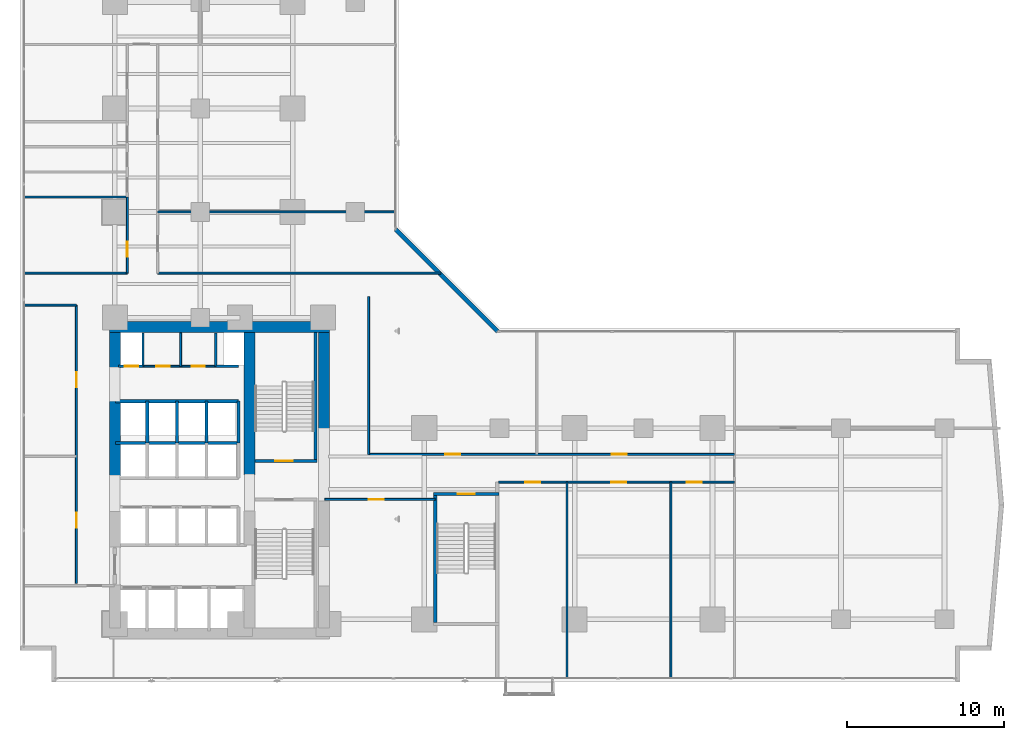
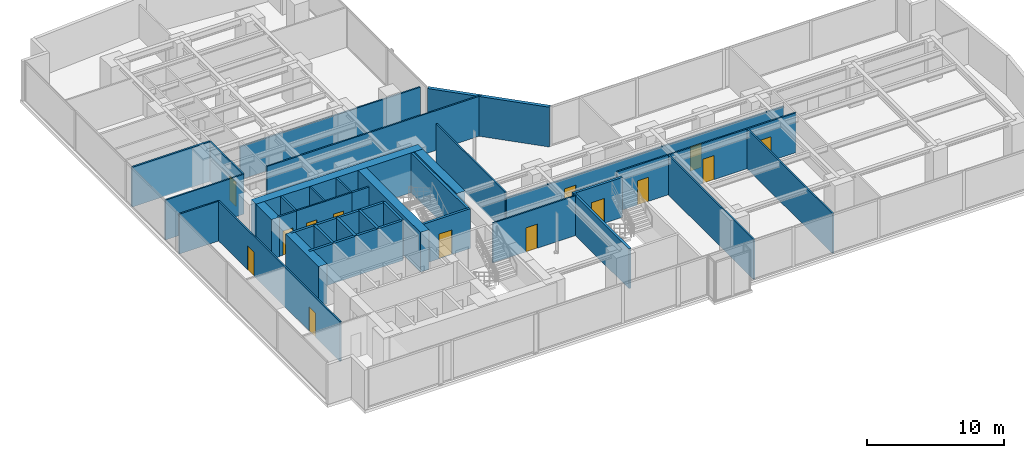
# One storey, part 24 of 31: 35 walls, 14 doors, 14 openings.
"""IFC4 building model written with IfcOpenShell, lengths in metres."""

from ifc_helpers import new_model, si_unit, direction, frame, frame_2d, origin, place, context, subcontext, project, spatial, rectangle, extrude, material, layer, layer_set, type_object, element, fill, save


model = new_model("IFC4")

# Units and contexts
model_context = context("Model", 3, precision=1e-05, world=origin(), true_north=direction((0.0, 1.0)))
body_context = subcontext(model_context, "Body", "Model", "MODEL_VIEW")
ifc_project = project(units=[si_unit("LENGTHUNIT", "METRE"), si_unit("AREAUNIT", "SQUARE_METRE"), si_unit("VOLUMEUNIT", "CUBIC_METRE"), si_unit("PLANEANGLEUNIT", "RADIAN"), si_unit("MASSUNIT", "GRAM", prefix="KILO")], contexts=[model_context])

# Site, building, storey
site_placement = place(None, origin())
site = spatial("IfcSite", under=ifc_project, at=site_placement, CompositionType="ELEMENT")
building_placement = place(site_placement, origin())
building = spatial("IfcBuilding", under=site, at=building_placement, Name="Kolvaren Waterfront Exchange", CompositionType="ELEMENT")
storey_placement = place(building_placement, frame((0.0, 0.0, 67.60009765625)))
storey = spatial("IfcBuildingStorey", under=building, at=storey_placement, Name="L17", CompositionType="ELEMENT", Elevation=67.60009765625)

# Wall
ifc_material_1 = material(Name="Precast concrete C40/50", Category="concrete")
ifc_layer_1 = layer(ifc_material_1, 0.280029296875, Name="Precast concrete C40/50")
ifc_layer_set_1 = layer_set([ifc_layer_1], Name="Precast concrete C40/50")
wall_type_1 = type_object("IfcWallType", Name="ARC-EXT-TERR-280", PredefinedType="SOLIDWALL", material=ifc_layer_set_1)
wall_1_placement = place(storey_placement, frame((31.885009765625, 23.574951171875, 0.0), z_axis=(0.0, 0.0, 1.0), x_axis=(-0.707106781187, 0.707106781187, 0.0)))
element("IfcWall", 1, at=wall_1_placement, inside=storey, type_object=wall_type_1, Name="L17 notched corner spandrel pier ELBOW", PredefinedType="SOLIDWALL", context=body_context, shape_type="SweptSolid", body=[
    extrude(rectangle(XDim=9.20654296875, YDim=0.280029296875, at=frame_2d((4.603271484375, 0.0))), origin(), (0.0, 0.0, 1.0), 3.539794921875),
])

# Wall, opening, door
ifc_layer_2 = layer(ifc_material_1, 0.199951171875, Name="Precast concrete C40/50")
ifc_layer_set_2 = layer_set([ifc_layer_2], Name="Precast concrete C40/50")
wall_type_2 = type_object("IfcWallType", Name="ARC-FIRE-200", PredefinedType="PARTITIONING", material=ifc_layer_set_2)
wall_2_placement = place(storey_placement, frame((16.409912109375, 15.300048828125, 0.0), z_axis=(0.0, 0.0, 1.0), x_axis=(1.0, 0.0, 0.0)))
wall_2 = element("IfcWall", 2, at=wall_2_placement, inside=storey, type_object=wall_type_2, Name="L17 interior wall PW-L17-ST2-THROAT-N", PredefinedType="PARTITIONING", context=body_context, shape_type="SweptSolid", body=[
    extrude(rectangle(XDim=3.9501953125, YDim=0.199951171875, at=frame_2d((1.97509765625, 0.0))), origin(), (0.0, 0.0, 1.0), 3.539794921875),
])
opening_1_placement = place(wall_2_placement, frame((1.293701171875, 0.0, 0.0)))
opening_1 = element("IfcOpeningElement", 3, at=opening_1_placement, cuts=wall_2, Name="Opening FD2", PredefinedType="OPENING", context=body_context, shape_type="SweptSolid", body=[
    extrude(rectangle(XDim=1.10009765625, YDim=2.199951171875, at=frame_2d((0.550048828125, 1.10009765625))), frame((0.0, 0.10986328125, 0.0), z_axis=(0.0, -1.0, 0.0), x_axis=(1.0, 0.0, 0.0)), (0.0, 0.0, 1.0), 0.219970703125),
])
ifc_material_2 = material(Name="Pressed steel smoke-seal fire door", Category="steel")
door_type_1 = type_object("IfcDoorType", Name="ARC-FD-1100", OperationType="NOTDEFINED", PredefinedType="DOOR", material=ifc_material_2)
door_1_placement = place(opening_1_placement, origin())
door_1 = element("IfcDoor", 4, at=door_1_placement, inside=storey, type_object=door_type_1, Name="L17 door DR-L17-ST2-IN (FD2)", OperationType="SINGLE_SWING_RIGHT", OverallHeight=2.199951171875, OverallWidth=1.10009765625, PredefinedType="DOOR", context=body_context, shape_type="SweptSolid", body=[
    extrude(rectangle(XDim=1.10009765625, YDim=2.199951171875, at=frame_2d((0.550048828125, 1.10009765625))), frame((0.0, 0.02490234375, 0.0), z_axis=(0.0, -1.0, 0.0), x_axis=(1.0, 0.0, 0.0)), (0.0, 0.0, 1.0), 0.050048828125),
])
fill(opening_1, door_1)

# Wall, openings, doors
ifc_material_3 = material(Name="Acoustic gypsum steel stud", Category="steel")
ifc_layer_3 = layer(ifc_material_3, 0.125, Name="Acoustic gypsum steel stud")
ifc_layer_set_3 = layer_set([ifc_layer_3], Name="Acoustic gypsum steel stud")
wall_type_3 = type_object("IfcWallType", Name="ARC-PART-125", PredefinedType="PARTITIONING", material=ifc_layer_set_3)
wall_3_placement = place(storey_placement, frame((9.25, 21.35009765625, 0.0), z_axis=(0.0, 0.0, 1.0), x_axis=(1.0, 0.0, 0.0)))
wall_3 = element("IfcWall", 5, at=wall_3_placement, inside=storey, type_object=wall_type_3, Name="L17 interior wall PW-L17-SVC-EX-S", PredefinedType="PARTITIONING", context=body_context, shape_type="SweptSolid", body=[
    extrude(rectangle(XDim=4.64990234375, YDim=0.125, at=frame_2d((2.324951171875, 0.0))), origin(), (0.0, 0.0, 1.0), 3.539794921875),
])
opening_2_placement = place(wall_3_placement, frame((0.85009765625, 0.0, 0.0)))
opening_2 = element("IfcOpeningElement", 6, at=opening_2_placement, cuts=wall_3, Name="Opening D01", PredefinedType="OPENING", context=body_context, shape_type="SweptSolid", body=[
    extrude(rectangle(XDim=0.85009765625, YDim=2.14990234375, at=frame_2d((0.425048828125, 1.074951171875))), frame((0.0, 0.072509765625, 0.0), z_axis=(0.0, -1.0, 0.0), x_axis=(1.0, 0.0, 0.0)), (0.0, 0.0, 1.0), 0.14501953125),
])
opening_3_placement = place(wall_3_placement, frame((3.10009765625, 0.0, 0.0)))
opening_3 = element("IfcOpeningElement", 7, at=opening_3_placement, cuts=wall_3, Name="Opening D01", PredefinedType="OPENING", context=body_context, shape_type="SweptSolid", body=[
    extrude(rectangle(XDim=0.85009765625, YDim=2.14990234375, at=frame_2d((0.425048828125, 1.074951171875))), frame((0.0, 0.072509765625, 0.0), z_axis=(0.0, -1.0, 0.0), x_axis=(1.0, 0.0, 0.0)), (0.0, 0.0, 1.0), 0.14501953125),
])
ifc_material_4 = material(Name="Oak veneer timber leaf", Category="wood")
door_type_2 = type_object("IfcDoorType", Name="ARC-DR-900", OperationType="NOTDEFINED", PredefinedType="DOOR", material=ifc_material_4)
door_2_placement = place(opening_2_placement, origin())
door_2 = element("IfcDoor", 8, at=door_2_placement, inside=storey, type_object=door_type_2, Name="L17 door DR-L17-SVC-DR-1 (D01)", OperationType="SINGLE_SWING_RIGHT", OverallHeight=2.14990234375, OverallWidth=0.85009765625, PredefinedType="DOOR", context=body_context, shape_type="SweptSolid", body=[
    extrude(rectangle(XDim=0.85009765625, YDim=2.14990234375, at=frame_2d((0.425048828125, 1.074951171875))), frame((0.0, 0.02490234375, 0.0), z_axis=(0.0, -1.0, 0.0), x_axis=(1.0, 0.0, 0.0)), (0.0, 0.0, 1.0), 0.050048828125),
])
fill(opening_2, door_2)
door_3_placement = place(opening_3_placement, origin())
door_3 = element("IfcDoor", 9, at=door_3_placement, inside=storey, type_object=door_type_2, Name="L17 door DR-L17-SVC-DR-2 (D01)", OperationType="SINGLE_SWING_LEFT", OverallHeight=2.14990234375, OverallWidth=0.85009765625, PredefinedType="DOOR", context=body_context, shape_type="SweptSolid", body=[
    extrude(rectangle(XDim=0.85009765625, YDim=2.14990234375, at=frame_2d((0.425048828125, 1.074951171875))), frame((0.0, 0.02490234375, 0.0), z_axis=(0.0, -1.0, 0.0), x_axis=(1.0, 0.0, 0.0)), (0.0, 0.0, 1.0), 0.050048828125),
])
fill(opening_3, door_3)

# Wall
wall_4_placement = place(storey_placement, frame((11.64990234375, 21.35009765625, 0.0), z_axis=(0.0, 0.0, 1.0), x_axis=(0.0, 1.0, 0.0)))
element("IfcWall", 10, at=wall_4_placement, inside=storey, type_object=wall_type_3, Name="L17 interior wall PW-L17-SVC-EX-M1", PredefinedType="PARTITIONING", context=body_context, shape_type="SweptSolid", body=[
    extrude(rectangle(XDim=2.1298828125, YDim=0.125, at=frame_2d((1.06494140625, 0.0))), origin(), (0.0, 0.0, 1.0), 3.539794921875),
])

# Wall, opening, door
wall_5_placement = place(storey_placement, frame((8.25, 27.300048828125, 0.0), z_axis=(0.0, 0.0, 1.0), x_axis=(0.0, 1.0, 0.0)))
wall_5 = element("IfcWall", 11, at=wall_5_placement, inside=storey, type_object=wall_type_3, Name="L17 interior wall PW-L17-PREWC-E", PredefinedType="PARTITIONING", context=body_context, shape_type="SweptSolid", body=[
    extrude(rectangle(XDim=4.849853515625, YDim=0.125, at=frame_2d((2.4248046875, 0.0))), origin(), (0.0, 0.0, 1.0), 3.539794921875),
])
opening_4_placement = place(wall_5_placement, frame((1.050048828125, 0.0, 0.0)))
opening_4 = element("IfcOpeningElement", 12, at=opening_4_placement, cuts=wall_5, Name="Opening D02", PredefinedType="OPENING", context=body_context, shape_type="SweptSolid", body=[
    extrude(rectangle(XDim=0.949951171875, YDim=2.14990234375, at=frame_2d((0.47509765625, 1.074951171875))), frame((0.0, 0.072509765625, 0.0), z_axis=(0.0, -1.0, 0.0), x_axis=(1.0, 0.0, 0.0)), (0.0, 0.0, 1.0), 0.14501953125),
])
ifc_material_5 = material(Name="Oak veneer acoustic timber", Category="wood")
door_type_3 = type_object("IfcDoorType", Name="ARC-DR-950", OperationType="NOTDEFINED", PredefinedType="DOOR", material=ifc_material_5)
door_4_placement = place(opening_4_placement, origin())
door_4 = element("IfcDoor", 13, at=door_4_placement, inside=storey, type_object=door_type_3, Name="L17 door DR-L17-PREWC-D (D02)", OperationType="SINGLE_SWING_RIGHT", OverallHeight=2.14990234375, OverallWidth=0.949951171875, PredefinedType="DOOR", context=body_context, shape_type="SweptSolid", body=[
    extrude(rectangle(XDim=0.949951171875, YDim=2.14990234375, at=frame_2d((0.47509765625, 1.074951171875))), frame((0.0, 0.02490234375, 0.0), z_axis=(0.0, -1.0, 0.0), x_axis=(1.0, 0.0, 0.0)), (0.0, 0.0, 1.0), 0.050048828125),
])
fill(opening_4, door_4)

# Wall
wall_6_placement = place(storey_placement, frame((1.639892578125, 27.300048828125, 0.0), z_axis=(0.0, 0.0, 1.0), x_axis=(1.0, 0.0, 0.0)))
element("IfcWall", 14, at=wall_6_placement, inside=storey, type_object=wall_type_3, Name="L17 interior wall PW-L17-PREWC-S", PredefinedType="PARTITIONING", context=body_context, shape_type="SweptSolid", body=[
    extrude(rectangle(XDim=6.610107421875, YDim=0.125, at=frame_2d((3.30517578125, 0.0))), origin(), (0.0, 0.0, 1.0), 3.539794921875),
])

# Wall, openings, doors
wall_7_placement = place(storey_placement, frame((5.0, 7.5, 0.0), z_axis=(0.0, 0.0, 1.0), x_axis=(0.0, 1.0, 0.0)))
wall_7 = element("IfcWall", 15, at=wall_7_placement, inside=storey, type_object=wall_type_3, Name="L17 interior wall PW-L17-WFLANK-E", PredefinedType="PARTITIONING", context=body_context, shape_type="SweptSolid", body=[
    extrude(rectangle(XDim=17.75, YDim=0.125, at=frame_2d((8.875, 0.0))), origin(), (0.0, 0.0, 1.0), 3.539794921875),
])
opening_5_placement = place(wall_7_placement, frame((3.550048828125, 0.0, 0.0)))
opening_5 = element("IfcOpeningElement", 16, at=opening_5_placement, cuts=wall_7, Name="Opening D02", PredefinedType="OPENING", context=body_context, shape_type="SweptSolid", body=[
    extrude(rectangle(XDim=0.949951171875, YDim=2.14990234375, at=frame_2d((0.47509765625, 1.074951171875))), frame((0.0, 0.072509765625, 0.0), z_axis=(0.0, -1.0, 0.0), x_axis=(1.0, 0.0, 0.0)), (0.0, 0.0, 1.0), 0.14501953125),
])
opening_6_placement = place(wall_7_placement, frame((12.52099609375, 0.0, 0.0)))
opening_6 = element("IfcOpeningElement", 17, at=opening_6_placement, cuts=wall_7, Name="Opening D02", PredefinedType="OPENING", context=body_context, shape_type="SweptSolid", body=[
    extrude(rectangle(XDim=0.949951171875, YDim=2.14990234375, at=frame_2d((0.47509765625, 1.074951171875))), frame((0.0, 0.072509765625, 0.0), z_axis=(0.0, -1.0, 0.0), x_axis=(1.0, 0.0, 0.0)), (0.0, 0.0, 1.0), 0.14501953125),
])
door_5_placement = place(opening_5_placement, origin())
door_5 = element("IfcDoor", 18, at=door_5_placement, inside=storey, type_object=door_type_3, Name="L17 door DR-L17-WFL1-D (D02)", OperationType="SINGLE_SWING_LEFT", OverallHeight=2.14990234375, OverallWidth=0.949951171875, PredefinedType="DOOR", context=body_context, shape_type="SweptSolid", body=[
    extrude(rectangle(XDim=0.949951171875, YDim=2.14990234375, at=frame_2d((0.47509765625, 1.074951171875))), frame((0.0, 0.02490234375, 0.0), z_axis=(0.0, -1.0, 0.0), x_axis=(1.0, 0.0, 0.0)), (0.0, 0.0, 1.0), 0.050048828125),
])
fill(opening_5, door_5)
door_6_placement = place(opening_6_placement, origin())
door_6 = element("IfcDoor", 19, at=door_6_placement, inside=storey, type_object=door_type_3, Name="L17 door DR-L17-WFL2-D (D02)", OperationType="SINGLE_SWING_RIGHT", OverallHeight=2.14990234375, OverallWidth=0.949951171875, PredefinedType="DOOR", context=body_context, shape_type="SweptSolid", body=[
    extrude(rectangle(XDim=0.949951171875, YDim=2.14990234375, at=frame_2d((0.47509765625, 1.074951171875))), frame((0.0, 0.02490234375, 0.0), z_axis=(0.0, -1.0, 0.0), x_axis=(1.0, 0.0, 0.0)), (0.0, 0.0, 1.0), 0.050048828125),
])
fill(opening_6, door_6)

# Wall
wall_8_placement = place(storey_placement, frame((1.639892578125, 25.25, 0.0), z_axis=(0.0, 0.0, 1.0), x_axis=(1.0, 0.0, 0.0)))
element("IfcWall", 20, at=wall_8_placement, inside=storey, type_object=wall_type_3, Name="L17 interior wall PW-L17-WFLANK-N", PredefinedType="PARTITIONING", context=body_context, shape_type="SweptSolid", body=[
    extrude(rectangle(XDim=3.360107421875, YDim=0.125, at=frame_2d((1.68017578125, 0.0))), origin(), (0.0, 0.0, 1.0), 3.539794921875),
])

# Wall, opening, door
wall_9_placement = place(storey_placement, frame((20.85009765625, 12.85009765625, 0.0), z_axis=(0.0, 0.0, 1.0), x_axis=(1.0, 0.0, 0.0)))
wall_9 = element("IfcWall", 21, at=wall_9_placement, inside=storey, type_object=wall_type_3, Name="L17 interior wall PW-L17-SWST3-N", PredefinedType="PARTITIONING", context=body_context, shape_type="SweptSolid", body=[
    extrude(rectangle(XDim=7.0498046875, YDim=0.125, at=frame_2d((3.52490234375, 0.0))), origin(), (0.0, 0.0, 1.0), 3.539794921875),
])
opening_7_placement = place(wall_9_placement, frame((2.800048828125, 0.0, 0.0)))
opening_7 = element("IfcOpeningElement", 22, at=opening_7_placement, cuts=wall_9, Name="Opening D02", PredefinedType="OPENING", context=body_context, shape_type="SweptSolid", body=[
    extrude(rectangle(XDim=0.949951171875, YDim=2.14990234375, at=frame_2d((0.47509765625, 1.074951171875))), frame((0.0, 0.072509765625, 0.0), z_axis=(0.0, -1.0, 0.0), x_axis=(1.0, 0.0, 0.0)), (0.0, 0.0, 1.0), 0.14501953125),
])
door_7_placement = place(opening_7_placement, origin())
door_7 = element("IfcDoor", 23, at=door_7_placement, inside=storey, type_object=door_type_3, Name="L17 door DR-L17-SWST3-D (D02)", OperationType="SINGLE_SWING_LEFT", OverallHeight=2.14990234375, OverallWidth=0.949951171875, PredefinedType="DOOR", context=body_context, shape_type="SweptSolid", body=[
    extrude(rectangle(XDim=0.949951171875, YDim=2.14990234375, at=frame_2d((0.47509765625, 1.074951171875))), frame((0.0, 0.02490234375, 0.0), z_axis=(0.0, -1.0, 0.0), x_axis=(1.0, 0.0, 0.0)), (0.0, 0.0, 1.0), 0.050048828125),
])
fill(opening_7, door_7)

# Wall, openings, doors
wall_10_placement = place(storey_placement, frame((31.949951171875, 13.949951171875, 0.0), z_axis=(0.0, 0.0, 1.0), x_axis=(1.0, 0.0, 0.0)))
wall_10 = element("IfcWall", 24, at=wall_10_placement, inside=storey, type_object=wall_type_3, Name="L17 interior wall PW-L17-ES-CORR", PredefinedType="PARTITIONING", context=body_context, shape_type="SweptSolid", body=[
    extrude(rectangle(XDim=15.050048828125, YDim=0.125, at=frame_2d((7.52490234375, 0.0))), origin(), (0.0, 0.0, 1.0), 3.539794921875),
])
opening_8_placement = place(wall_10_placement, frame((1.705078125, 0.0, 0.0)))
opening_8 = element("IfcOpeningElement", 25, at=opening_8_placement, cuts=wall_10, Name="Opening D02", PredefinedType="OPENING", context=body_context, shape_type="SweptSolid", body=[
    extrude(rectangle(XDim=0.949951171875, YDim=2.14990234375, at=frame_2d((0.47509765625, 1.074951171875))), frame((0.0, 0.072509765625, 0.0), z_axis=(0.0, -1.0, 0.0), x_axis=(1.0, 0.0, 0.0)), (0.0, 0.0, 1.0), 0.14501953125),
])
opening_9_placement = place(wall_10_placement, frame((7.199951171875, 0.0, 0.0)))
opening_9 = element("IfcOpeningElement", 26, at=opening_9_placement, cuts=wall_10, Name="Opening D02", PredefinedType="OPENING", context=body_context, shape_type="SweptSolid", body=[
    extrude(rectangle(XDim=0.949951171875, YDim=2.14990234375, at=frame_2d((0.47509765625, 1.074951171875))), frame((0.0, 0.072509765625, 0.0), z_axis=(0.0, -1.0, 0.0), x_axis=(1.0, 0.0, 0.0)), (0.0, 0.0, 1.0), 0.14501953125),
])
opening_10_placement = place(wall_10_placement, frame((11.994384765625, 0.0, 0.0)))
opening_10 = element("IfcOpeningElement", 27, at=opening_10_placement, cuts=wall_10, Name="Opening D02", PredefinedType="OPENING", context=body_context, shape_type="SweptSolid", body=[
    extrude(rectangle(XDim=0.949951171875, YDim=2.14990234375, at=frame_2d((0.47509765625, 1.074951171875))), frame((0.0, 0.072509765625, 0.0), z_axis=(0.0, -1.0, 0.0), x_axis=(1.0, 0.0, 0.0)), (0.0, 0.0, 1.0), 0.14501953125),
])
door_8_placement = place(opening_8_placement, origin())
door_8 = element("IfcDoor", 28, at=door_8_placement, inside=storey, type_object=door_type_3, Name="L17 door DR-L17-ES-D-1 (D02)", OperationType="SINGLE_SWING_RIGHT", OverallHeight=2.14990234375, OverallWidth=0.949951171875, PredefinedType="DOOR", context=body_context, shape_type="SweptSolid", body=[
    extrude(rectangle(XDim=0.949951171875, YDim=2.14990234375, at=frame_2d((0.47509765625, 1.074951171875))), frame((0.0, 0.02490234375, 0.0), z_axis=(0.0, -1.0, 0.0), x_axis=(1.0, 0.0, 0.0)), (0.0, 0.0, 1.0), 0.050048828125),
])
fill(opening_8, door_8)
door_9_placement = place(opening_9_placement, origin())
door_9 = element("IfcDoor", 29, at=door_9_placement, inside=storey, type_object=door_type_3, Name="L17 door DR-L17-ES-D-2 (D02)", OperationType="SINGLE_SWING_LEFT", OverallHeight=2.14990234375, OverallWidth=0.949951171875, PredefinedType="DOOR", context=body_context, shape_type="SweptSolid", body=[
    extrude(rectangle(XDim=0.949951171875, YDim=2.14990234375, at=frame_2d((0.47509765625, 1.074951171875))), frame((0.0, 0.02490234375, 0.0), z_axis=(0.0, -1.0, 0.0), x_axis=(1.0, 0.0, 0.0)), (0.0, 0.0, 1.0), 0.050048828125),
])
fill(opening_9, door_9)
door_10_placement = place(opening_10_placement, origin())
door_10 = element("IfcDoor", 30, at=door_10_placement, inside=storey, type_object=door_type_3, Name="L17 door DR-L17-ES-D-3 (D02)", OperationType="SINGLE_SWING_RIGHT", OverallHeight=2.14990234375, OverallWidth=0.949951171875, PredefinedType="DOOR", context=body_context, shape_type="SweptSolid", body=[
    extrude(rectangle(XDim=0.949951171875, YDim=2.14990234375, at=frame_2d((0.47509765625, 1.074951171875))), frame((0.0, 0.02490234375, 0.0), z_axis=(0.0, -1.0, 0.0), x_axis=(1.0, 0.0, 0.0)), (0.0, 0.0, 1.0), 0.050048828125),
])
fill(opening_10, door_10)

# Walls
for number, where, z_axis, x_axis, name in (
    (31, (36.31005859375, 1.43994140625, 0.0), (0.0, 0.0, 1.0), (0.0, 1.0, 0.0), "L17 interior wall PW-L17-ES-DIV-1"),
    (32, (42.93994140625, 1.43994140625, 0.0), (0.0, 0.0, 1.0), (0.0, 1.0, 0.0), "L17 interior wall PW-L17-ES-DIV-2"),
):
    element("IfcWall", number, at=place(storey_placement, frame(where, z_axis=z_axis, x_axis=x_axis)), inside=storey, type_object=wall_type_3, Name=name, PredefinedType="PARTITIONING", context=body_context, shape_type="SweptSolid", body=[
        extrude(rectangle(XDim=12.510009765625, YDim=0.125, at=frame_2d((6.2548828125, 0.0))), origin(), (0.0, 0.0, 1.0), 3.539794921875),
    ])
wall_11_placement = place(storey_placement, frame((23.64990234375, 15.72998046875, 0.0), z_axis=(0.0, 0.0, 1.0), x_axis=(0.0, 1.0, 0.0)))
element("IfcWall", 33, at=wall_11_placement, inside=storey, type_object=wall_type_3, Name="L17 interior wall PW-L17-EN-W0", PredefinedType="PARTITIONING", context=body_context, shape_type="SweptSolid", body=[
    extrude(rectangle(XDim=10.070068359375, YDim=0.125, at=frame_2d((5.03515625, 0.0))), origin(), (0.0, 0.0, 1.0), 3.539794921875),
])

# Wall, openings, doors
wall_12_placement = place(storey_placement, frame((23.64990234375, 15.72998046875, 0.0), z_axis=(0.0, 0.0, 1.0), x_axis=(1.0, 0.0, 0.0)))
wall_12 = element("IfcWall", 34, at=wall_12_placement, inside=storey, type_object=wall_type_3, Name="L17 interior wall PW-L17-EN-CORR", PredefinedType="PARTITIONING", context=body_context, shape_type="SweptSolid", body=[
    extrude(rectangle(XDim=23.35009765625, YDim=0.125, at=frame_2d((11.675048828125, 0.0))), origin(), (0.0, 0.0, 1.0), 3.039794921875),
])
opening_11_placement = place(wall_12_placement, frame((4.89501953125, 0.0, 0.0)))
opening_11 = element("IfcOpeningElement", 35, at=opening_11_placement, cuts=wall_12, Name="Opening D02", PredefinedType="OPENING", context=body_context, shape_type="SweptSolid", body=[
    extrude(rectangle(XDim=0.949951171875, YDim=2.14990234375, at=frame_2d((0.47509765625, 1.074951171875))), frame((0.0, 0.072509765625, 0.0), z_axis=(0.0, -1.0, 0.0), x_axis=(1.0, 0.0, 0.0)), (0.0, 0.0, 1.0), 0.14501953125),
])
opening_12_placement = place(wall_12_placement, frame((15.51220703125, 0.0, 0.0)))
opening_12 = element("IfcOpeningElement", 36, at=opening_12_placement, cuts=wall_12, Name="Opening D02", PredefinedType="OPENING", context=body_context, shape_type="SweptSolid", body=[
    extrude(rectangle(XDim=0.949951171875, YDim=2.14990234375, at=frame_2d((0.47509765625, 1.074951171875))), frame((0.0, 0.072509765625, 0.0), z_axis=(0.0, -1.0, 0.0), x_axis=(1.0, 0.0, 0.0)), (0.0, 0.0, 1.0), 0.14501953125),
])
door_11_placement = place(opening_11_placement, origin())
door_11 = element("IfcDoor", 37, at=door_11_placement, inside=storey, type_object=door_type_3, Name="L17 door DR-L17-EN-D-1 (D02)", OperationType="SINGLE_SWING_LEFT", OverallHeight=2.14990234375, OverallWidth=0.949951171875, PredefinedType="DOOR", context=body_context, shape_type="SweptSolid", body=[
    extrude(rectangle(XDim=0.949951171875, YDim=2.14990234375, at=frame_2d((0.47509765625, 1.074951171875))), frame((0.0, 0.02490234375, 0.0), z_axis=(0.0, -1.0, 0.0), x_axis=(1.0, 0.0, 0.0)), (0.0, 0.0, 1.0), 0.050048828125),
])
fill(opening_11, door_11)
door_12_placement = place(opening_12_placement, origin())
door_12 = element("IfcDoor", 38, at=door_12_placement, inside=storey, type_object=door_type_3, Name="L17 door DR-L17-EN-D-2 (D02)", OperationType="SINGLE_SWING_RIGHT", OverallHeight=2.14990234375, OverallWidth=0.949951171875, PredefinedType="DOOR", context=body_context, shape_type="SweptSolid", body=[
    extrude(rectangle(XDim=0.949951171875, YDim=2.14990234375, at=frame_2d((0.47509765625, 1.074951171875))), frame((0.0, 0.02490234375, 0.0), z_axis=(0.0, -1.0, 0.0), x_axis=(1.0, 0.0, 0.0)), (0.0, 0.0, 1.0), 0.050048828125),
])
fill(opening_12, door_12)

# Walls
wall_13_placement = place(storey_placement, frame((10.18994140625, 27.300048828125, 0.0), z_axis=(0.0, 0.0, 1.0), x_axis=(1.0, 0.0, 0.0)))
element("IfcWall", 39, at=wall_13_placement, inside=storey, type_object=wall_type_3, Name="L17 interior wall PW-L17-NE-S0", PredefinedType="PARTITIONING", context=body_context, shape_type="SweptSolid", body=[
    extrude(rectangle(XDim=18.070068359375, YDim=0.125, at=frame_2d((9.03515625, 0.0))), origin(), (0.0, 0.0, 1.0), 3.539794921875),
])
wall_14_placement = place(storey_placement, frame((10.18994140625, 31.199951171875, 0.0), z_axis=(0.0, 0.0, 1.0), x_axis=(1.0, 0.0, 0.0)))
element("IfcWall", 40, at=wall_14_placement, inside=storey, type_object=wall_type_3, Name="L17 interior wall PW-L17-NE-DIV-1", PredefinedType="PARTITIONING", context=body_context, shape_type="SweptSolid", body=[
    extrude(rectangle(XDim=15.170166015625, YDim=0.125, at=frame_2d((7.5849609375, 0.0))), origin(), (0.0, 0.0, 1.0), 2.93994140625),
])
ifc_material_6 = material(Name="Gypsum fireboard steel stud", Category="steel")
ifc_layer_4 = layer(ifc_material_6, 0.14990234375, Name="Gypsum fireboard steel stud")
ifc_layer_set_4 = layer_set([ifc_layer_4], Name="Gypsum fireboard steel stud")
wall_type_4 = type_object("IfcWallType", Name="ARC-PART-150", PredefinedType="PARTITIONING", material=ifc_layer_set_4)
for number, where, z_axis, x_axis, name in (
    (41, (9.25, 21.35009765625, 0.0), (0.0, 0.0, 1.0), (0.0, 1.0, 0.0), "L17 interior wall PW-L17-SVC-R1"),
    (42, (13.89990234375, 21.35009765625, 0.0), (0.0, 0.0, 1.0), (0.0, 1.0, 0.0), "L17 interior wall PW-L17-SVC-R2"),
):
    element("IfcWall", number, at=place(storey_placement, frame(where, z_axis=z_axis, x_axis=x_axis)), inside=storey, type_object=wall_type_4, Name=name, PredefinedType="PARTITIONING", context=body_context, shape_type="SweptSolid", body=[
        extrude(rectangle(XDim=2.1298828125, YDim=0.14990234375, at=frame_2d((1.06494140625, 0.0))), origin(), (0.0, 0.0, 1.0), 3.539794921875),
    ])

# Wall, opening, door
wall_15_placement = place(storey_placement, frame((7.699951171875, 21.35009765625, 0.0), z_axis=(0.0, 0.0, 1.0), x_axis=(1.0, 0.0, 0.0)))
wall_15 = element("IfcWall", 43, at=wall_15_placement, inside=storey, type_object=wall_type_4, Name="L17 interior wall PW-L17-SVC-RE-S", PredefinedType="PARTITIONING", context=body_context, shape_type="SweptSolid", body=[
    extrude(rectangle(XDim=1.550048828125, YDim=0.14990234375, at=frame_2d((0.77490234375, 0.0))), origin(), (0.0, 0.0, 1.0), 3.539794921875),
])
opening_13_placement = place(wall_15_placement, frame((0.389892578125, 0.0, 0.0)))
opening_13 = element("IfcOpeningElement", 44, at=opening_13_placement, cuts=wall_15, Name="Opening FD1", PredefinedType="OPENING", context=body_context, shape_type="SweptSolid", body=[
    extrude(rectangle(XDim=0.85009765625, YDim=2.14990234375, at=frame_2d((0.425048828125, 1.074951171875))), frame((0.0, 0.0849609375, 0.0), z_axis=(0.0, -1.0, 0.0), x_axis=(1.0, 0.0, 0.0)), (0.0, 0.0, 1.0), 0.169921875),
])
ifc_material_7 = material(Name="Pressed steel fire leaf", Category="steel")
door_type_4 = type_object("IfcDoorType", Name="ARC-FD-900", OperationType="NOTDEFINED", PredefinedType="DOOR", material=ifc_material_7)
door_13_placement = place(opening_13_placement, origin())
door_13 = element("IfcDoor", 45, at=door_13_placement, inside=storey, type_object=door_type_4, Name="L17 door DR-L17-RISER-E-DR (FD1)", OperationType="SINGLE_SWING_LEFT", OverallHeight=2.14990234375, OverallWidth=0.85009765625, PredefinedType="DOOR", context=body_context, shape_type="SweptSolid", body=[
    extrude(rectangle(XDim=0.85009765625, YDim=2.14990234375, at=frame_2d((0.425048828125, 1.074951171875))), frame((0.0, 0.02490234375, 0.0), z_axis=(0.0, -1.0, 0.0), x_axis=(1.0, 0.0, 0.0)), (0.0, 0.0, 1.0), 0.050048828125),
])
fill(opening_13, door_13)

# Walls
wall_16_placement = place(storey_placement, frame((13.89990234375, 21.35009765625, 0.0), z_axis=(0.0, 0.0, 1.0), x_axis=(1.0, 0.0, 0.0)))
element("IfcWall", 46, at=wall_16_placement, inside=storey, type_object=wall_type_4, Name="L17 interior wall PW-L17-SVC-RP-S", PredefinedType="PARTITIONING", context=body_context, shape_type="SweptSolid", body=[
    extrude(rectangle(XDim=1.4501953125, YDim=0.14990234375, at=frame_2d((0.72509765625, 0.0))), origin(), (0.0, 0.0, 1.0), 3.539794921875),
])
ifc_material_8 = material(Name="Moisture-resistant gypsum stud")
ifc_layer_5 = layer(ifc_material_8, 0.14990234375, Name="Moisture-resistant gypsum stud")
ifc_layer_set_5 = layer_set([ifc_layer_5], Name="Moisture-resistant gypsum stud")
wall_type_5 = type_object("IfcWallType", Name="ARC-PLUMB-150", PredefinedType="PLUMBINGWALL", material=ifc_layer_set_5)
wall_17_placement = place(storey_placement, frame((1.639892578125, 32.14990234375, 0.0), z_axis=(0.0, 0.0, 1.0), x_axis=(1.0, 0.0, 0.0)))
element("IfcWall", 47, at=wall_17_placement, inside=storey, type_object=wall_type_5, Name="L17 interior wall PW-L17-WC-0", PredefinedType="PLUMBINGWALL", context=body_context, shape_type="SweptSolid", body=[
    extrude(rectangle(XDim=6.610107421875, YDim=0.14990234375, at=frame_2d((3.30517578125, 0.0))), origin(), (0.0, 0.0, 1.0), 3.539794921875),
])
ifc_material_9 = material(Name="Concrete C40/50", Category="concrete")
ifc_layer_6 = layer(ifc_material_9, 0.199951171875, Name="Concrete C40/50")
ifc_layer_set_6 = layer_set([ifc_layer_6], Name="Concrete C40/50")
wall_type_6 = type_object("IfcWallType", Name="ARC-SHAFT-200", PredefinedType="PARTITIONING", material=ifc_layer_set_6)
wall_18_placement = place(storey_placement, frame((20.260009765625, 15.39990234375, 0.0), z_axis=(0.0, 0.0, 1.0), x_axis=(0.0, 1.0, 0.0)))
element("IfcWall", 48, at=wall_18_placement, inside=storey, type_object=wall_type_6, Name="L17 structural stairwell wall PW-L17-ST2-E", PredefinedType="SHEAR", context=body_context, shape_type="SweptSolid", body=[
    extrude(rectangle(XDim=8.090087890625, YDim=0.199951171875, at=frame_2d((4.044921875, 0.0))), origin(), (0.0, 0.0, 1.0), 3.539794921875),
])
wall_19_placement = place(storey_placement, frame((27.89990234375, 5.0, 0.0), z_axis=(0.0, 0.0, 1.0), x_axis=(0.0, 1.0, 0.0)))
element("IfcWall", 49, at=wall_19_placement, inside=storey, type_object=wall_type_6, Name="L17 structural stairwell wall PW-L17-ST3-W", PredefinedType="SHEAR", context=body_context, shape_type="SweptSolid", body=[
    extrude(rectangle(XDim=8.10009765625, YDim=0.199951171875, at=frame_2d((4.050048828125, 0.0))), origin(), (0.0, 0.0, 1.0), 3.539794921875),
])

# Wall, opening, door
wall_20_placement = place(storey_placement, frame((27.800048828125, 13.199951171875, 0.0), z_axis=(0.0, 0.0, 1.0), x_axis=(1.0, 0.0, 0.0)))
wall_20 = element("IfcWall", 50, at=wall_20_placement, inside=storey, type_object=wall_type_6, Name="L17 structural stairwell wall PW-L17-ST3-N", PredefinedType="SHEAR", context=body_context, shape_type="SweptSolid", body=[
    extrude(rectangle(XDim=4.159912109375, YDim=0.199951171875, at=frame_2d((2.080078125, 0.0))), origin(), (0.0, 0.0, 1.0), 3.539794921875),
])
opening_14_placement = place(wall_20_placement, frame((1.530029296875, 0.0, 0.0)))
opening_14 = element("IfcOpeningElement", 51, at=opening_14_placement, cuts=wall_20, Name="Opening FD2", PredefinedType="OPENING", context=body_context, shape_type="SweptSolid", body=[
    extrude(rectangle(XDim=1.10009765625, YDim=2.199951171875, at=frame_2d((0.550048828125, 1.10009765625))), frame((0.0, 0.10986328125, 0.0), z_axis=(0.0, -1.0, 0.0), x_axis=(1.0, 0.0, 0.0)), (0.0, 0.0, 1.0), 0.219970703125),
])
door_14_placement = place(opening_14_placement, frame((1.10009765625, 0.0, 0.0), z_axis=(0.0, 0.0, 1.0), x_axis=(-1.0, 0.0, 0.0)))
door_14 = element("IfcDoor", 52, at=door_14_placement, inside=storey, type_object=door_type_1, Name="L17 door DR-L17-ST3-IN (FD2)", OperationType="SINGLE_SWING_LEFT", OverallHeight=2.199951171875, OverallWidth=1.10009765625, PredefinedType="DOOR", context=body_context, shape_type="SweptSolid", body=[
    extrude(rectangle(XDim=1.10009765625, YDim=2.199951171875, at=frame_2d((0.550048828125, 1.10009765625))), frame((0.0, 0.02490234375, 0.0), z_axis=(0.0, -1.0, 0.0), x_axis=(1.0, 0.0, 0.0)), (0.0, 0.0, 1.0), 0.050048828125),
])
fill(opening_14, door_14)

# Walls
for number, where, z_axis, x_axis, name in (
    (53, (7.5, 16.449951171875, 0.0), (0.0, 0.0, 1.0), (1.0, 0.0, 0.0), "L17 interior wall PW-L17-PM-N"),
    (54, (7.5, 19.1201171875, 0.0), (0.0, 0.0, 1.0), (1.0, 0.0, 0.0), "L17 interior wall PW-L17-PH-N"),
):
    element("IfcWall", number, at=place(storey_placement, frame(where, z_axis=z_axis, x_axis=x_axis)), inside=storey, type_object=wall_type_6, Name=name, PredefinedType="PARTITIONING", context=body_context, shape_type="SweptSolid", body=[
        extrude(rectangle(XDim=7.85009765625, YDim=0.199951171875, at=frame_2d((3.925048828125, 0.0))), origin(), (0.0, 0.0, 1.0), 3.539794921875),
    ])
for number, where, z_axis, x_axis, name in (
    (55, (15.35009765625, 16.449951171875, 0.0), (0.0, 0.0, 1.0), (0.0, 1.0, 0.0), "L17 interior wall PW-L17-PH-E"),
    (56, (9.52001953125, 16.449951171875, 0.0), (0.0, 0.0, 1.0), (0.0, 1.0, 0.0), "L17 interior wall PW-L17-SH4-DIV-95"),
    (57, (11.409912109375, 16.449951171875, 0.0), (0.0, 0.0, 1.0), (0.0, 1.0, 0.0), "L17 interior wall PW-L17-SH4-DIV-114"),
    (58, (13.300048828125, 16.449951171875, 0.0), (0.0, 0.0, 1.0), (0.0, 1.0, 0.0), "L17 interior wall PW-L17-SH4-DIV-133"),
):
    element("IfcWall", number, at=place(storey_placement, frame(where, z_axis=z_axis, x_axis=x_axis)), inside=storey, type_object=wall_type_6, Name=name, PredefinedType="PARTITIONING", context=body_context, shape_type="SweptSolid", body=[
        extrude(rectangle(XDim=2.670166015625, YDim=0.199951171875, at=frame_2d((1.3349609375, 0.0))), origin(), (0.0, 0.0, 1.0), 3.539794921875),
    ])
ifc_material_10 = material(Name="Concrete C70/85", Category="concrete")
ifc_layer_7 = layer(ifc_material_10, 0.699951171875, Name="Concrete C70/85")
ifc_layer_set_7 = layer_set([ifc_layer_7], Name="Concrete C70/85")
wall_type_7 = type_object("IfcWallType", Name="STR-CWALL-700", PredefinedType="SHEAR", material=ifc_layer_set_7)
wall_21_placement = place(storey_placement, frame((7.10009765625, 23.85009765625, 0.0), z_axis=(0.0, 0.0, 1.0), x_axis=(1.0, 0.0, 0.0)))
element("IfcWall", 59, at=wall_21_placement, inside=storey, type_object=wall_type_7, Name="L17 rear-core shear wall N", PredefinedType="SHEAR", context=body_context, shape_type="SweptSolid", body=[
    extrude(rectangle(XDim=14.0498046875, YDim=0.699951171875, at=frame_2d((7.02490234375, 0.0))), origin(), (0.0, 0.0, 1.0), 3.539794921875),
])
wall_22_placement = place(storey_placement, frame((7.449951171875, 14.35009765625, 0.0), z_axis=(0.0, 0.0, 1.0), x_axis=(0.0, 1.0, 0.0)))
element("IfcWall", 60, at=wall_22_placement, inside=storey, type_object=wall_type_7, Name="L17 rear-core shear wall W2B", PredefinedType="SHEAR", context=body_context, shape_type="SweptSolid", body=[
    extrude(rectangle(XDim=4.809814453125, YDim=0.699951171875, at=frame_2d((2.40478515625, 0.0))), origin(), (0.0, 0.0, 1.0), 3.539794921875),
])
wall_23_placement = place(storey_placement, frame((7.449951171875, 21.239990234375, 0.0), z_axis=(0.0, 0.0, 1.0), x_axis=(0.0, 1.0, 0.0)))
element("IfcWall", 61, at=wall_23_placement, inside=storey, type_object=wall_type_7, Name="L17 rear-core shear wall W3", PredefinedType="SHEAR", context=body_context, shape_type="SweptSolid", body=[
    extrude(rectangle(XDim=2.260009765625, YDim=0.699951171875, at=frame_2d((1.1298828125, 0.0))), origin(), (0.0, 0.0, 1.0), 3.539794921875),
])
wall_24_placement = place(storey_placement, frame((20.800048828125, 17.35009765625, 0.0), z_axis=(0.0, 0.0, 1.0), x_axis=(0.0, 1.0, 0.0)))
element("IfcWall", 62, at=wall_24_placement, inside=storey, type_object=wall_type_7, Name="L17 rear-core shear wall E3", PredefinedType="SHEAR", context=body_context, shape_type="SweptSolid", body=[
    extrude(rectangle(XDim=6.14990234375, YDim=0.699951171875, at=frame_2d((3.074951171875, 0.0))), origin(), (0.0, 0.0, 1.0), 3.539794921875),
])
wall_25_placement = place(storey_placement, frame((16.050048828125, 14.39990234375, 0.0), z_axis=(0.0, 0.0, 1.0), x_axis=(0.0, 1.0, 0.0)))
element("IfcWall", 63, at=wall_25_placement, inside=storey, type_object=wall_type_7, Name="L17 rear-core shear wall M3", PredefinedType="SHEAR", context=body_context, shape_type="SweptSolid", body=[
    extrude(rectangle(XDim=9.10009765625, YDim=0.699951171875, at=frame_2d((4.550048828125, 0.0))), origin(), (0.0, 0.0, 1.0), 3.539794921875),
])

save(model, "model.ifc")
